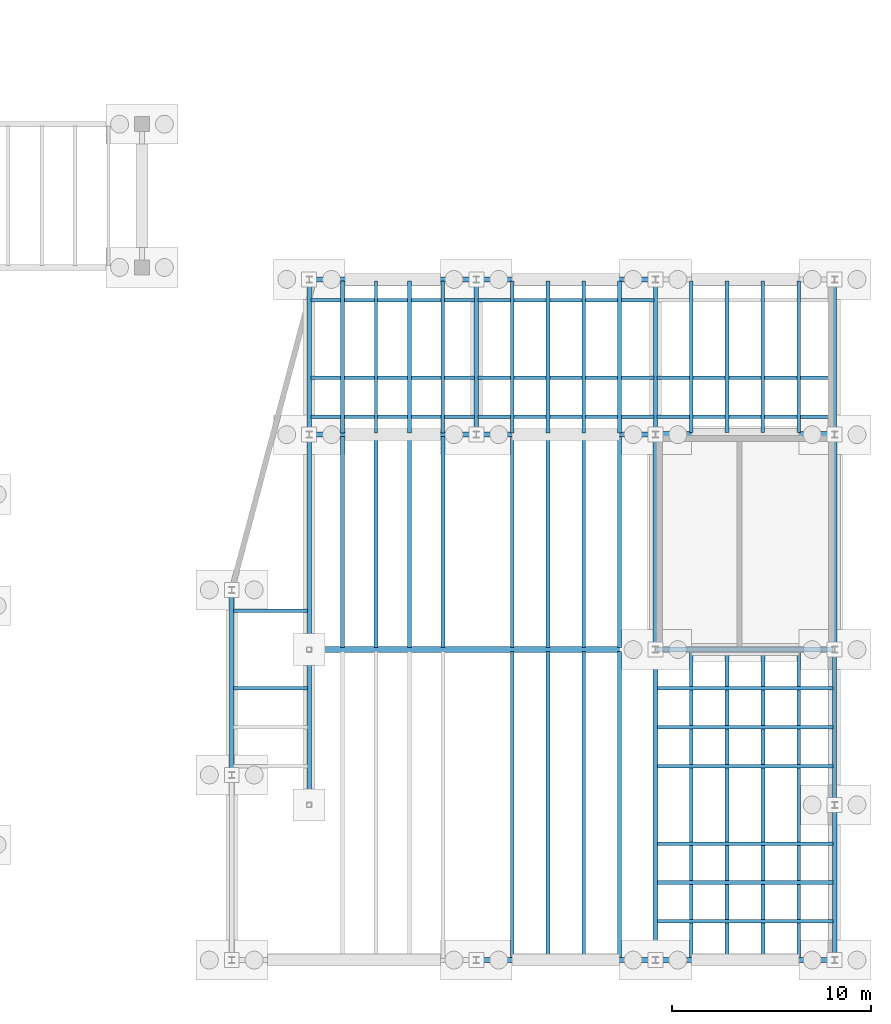
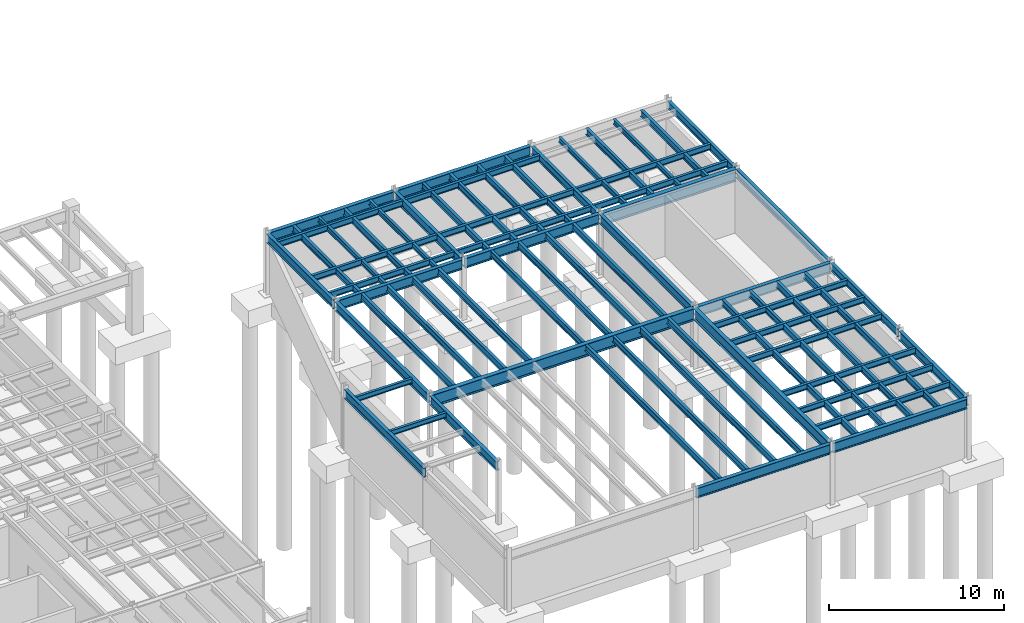
# One storey, part 30 of 41: 65 beams.
"""IFC4 building model written with IfcOpenShell, lengths in metres."""

from ifc_helpers import new_model, si_unit, direction, frame, origin, origin_2d, place, context, subcontext, project, spatial, i_section, extrude, material, material_profile, profile_set, type_object, element, save


model = new_model("IFC4")

# Units and contexts
model_context = context("Model", 3, precision=1e-05, world=origin(), true_north=direction((0.0, 1.0)))
body_context = subcontext(model_context, "Body", "Model", "MODEL_VIEW")
ifc_project = project(units=[si_unit("LENGTHUNIT", "METRE"), si_unit("AREAUNIT", "SQUARE_METRE"), si_unit("VOLUMEUNIT", "CUBIC_METRE"), si_unit("PLANEANGLEUNIT", "RADIAN"), si_unit("MASSUNIT", "GRAM", prefix="KILO")], contexts=[model_context])

# Site, building, storey
site_placement = place(None, origin())
site = spatial("IfcSite", under=ifc_project, at=site_placement, CompositionType="ELEMENT")
building_placement = place(site_placement, origin())
building = spatial("IfcBuilding", under=site, at=building_placement, Name="Selat Folded Stagehouse", CompositionType="ELEMENT")
storey_placement = place(building_placement, frame((0.0, 0.0, -4.5)))
storey = spatial("IfcBuildingStorey", under=building, at=storey_placement, Name="B1", CompositionType="ELEMENT", Elevation=-4.5)

# Beams
ifc_material = material(Name="Steel S355", Category="steel")
ifc_material_profile_1 = material_profile(ifc_material, i_section(OverallWidth=0.210693359375, OverallDepth=0.53955078125, WebThickness=0.01171875, FlangeThickness=0.018798828125, FilletRadius=0.0126953125, at=origin_2d()), Name="UKB 533x210x109")
ifc_profile_set_1 = profile_set([ifc_material_profile_1], Name="Steel S355")
beam_type_1 = type_object("IfcBeamType", Name="BM-GIRD-533x210x109", PredefinedType="BEAM", material=ifc_profile_set_1)
for number, where, z_axis, x_axis, name in (
    (1, (151.800048828125, 26.47998046875, 3.980224609375), (0.0, 1.0, 0.0), (-1.0, 0.0, 0.0), "B1 primary y-girder 0146"),
    (2, (160.800048828125, 7.8798828125, 3.980224609375), (0.0, 1.0, 0.0), (-1.0, 0.0, 0.0), "B1 primary y-girder 0148"),
    (3, (160.800048828125, 26.47998046875, 3.980224609375), (0.0, 1.0, 0.0), (-1.0, 0.0, 0.0), "B1 primary y-girder 0150"),
):
    element("IfcBeam", number, at=place(storey_placement, frame(where, z_axis=z_axis, x_axis=x_axis)), inside=storey, type_object=beam_type_1, Name=name, PredefinedType="BEAM", context=body_context, shape_type="SweptSolid", body=[
        extrude(i_section(OverallWidth=0.210693359375, OverallDepth=0.53955078125, WebThickness=0.01171875, FlangeThickness=0.018798828125, FilletRadius=0.0126953125, at=origin_2d()), origin(), (0.0, 0.0, 1.0), 7.64013671875),
    ])
ifc_material_profile_2 = material_profile(ifc_material, i_section(OverallWidth=0.230224609375, OverallDepth=0.6171875, WebThickness=0.01318359375, FlangeThickness=0.022216796875, FilletRadius=0.0126953125, at=origin_2d()), Name="UKB 610x229x140")
ifc_profile_set_2 = profile_set([ifc_material_profile_2], Name="Steel S355")
beam_type_2 = type_object("IfcBeamType", Name="BM-GIRD-610x229x140", PredefinedType="BEAM", material=ifc_profile_set_2)
beam_1_placement = place(storey_placement, frame((130.510009765625, 9.3798828125, 3.94140625), z_axis=(0.0, 1.0, 0.0), x_axis=(-1.0, 0.0, 0.0)))
element("IfcBeam", 4, at=beam_1_placement, inside=storey, type_object=beam_type_2, Name="B1 primary y-girder 0139", PredefinedType="BEAM", context=body_context, shape_type="SweptSolid", body=[
    extrude(i_section(OverallWidth=0.230224609375, OverallDepth=0.6171875, WebThickness=0.01318359375, FlangeThickness=0.022216796875, FilletRadius=0.0126953125, at=origin_2d()), origin(), (0.0, 0.0, 1.0), 9.14013671875),
])
beam_2_placement = place(storey_placement, frame((134.39990234375, 7.875, 3.94140625), z_axis=(0.0, 1.0, 0.0), x_axis=(-1.0, 0.0, 0.0)))
element("IfcBeam", 5, at=beam_2_placement, inside=storey, type_object=beam_type_2, Name="B1 primary y-girder 0140", PredefinedType="BEAM", context=body_context, shape_type="SweptSolid", body=[
    extrude(i_section(OverallWidth=0.230224609375, OverallDepth=0.6171875, WebThickness=0.01318359375, FlangeThickness=0.022216796875, FilletRadius=0.0126953125, at=origin_2d()), origin(), (0.0, 0.0, 1.0), 7.64990234375),
])
beam_3_placement = place(storey_placement, frame((134.39990234375, 15.675048828125, 3.94140625), z_axis=(0.0, 1.0, 0.0), x_axis=(-1.0, 0.0, 0.0)))
element("IfcBeam", 6, at=beam_3_placement, inside=storey, type_object=beam_type_2, Name="B1 primary y-girder 0141", PredefinedType="BEAM", context=body_context, shape_type="SweptSolid", body=[
    extrude(i_section(OverallWidth=0.230224609375, OverallDepth=0.6171875, WebThickness=0.01318359375, FlangeThickness=0.022216796875, FilletRadius=0.0126953125, at=origin_2d()), origin(), (0.0, 0.0, 1.0), 10.64501953125),
])
for number, where, z_axis, x_axis, name in (
    (7, (134.39990234375, 26.47998046875, 3.94140625), (0.0, 1.0, 0.0), (-1.0, 0.0, 0.0), "B1 primary y-girder 0142"),
    (8, (142.800048828125, 26.47998046875, 3.94140625), (0.0, 1.0, 0.0), (-1.0, 0.0, 0.0), "B1 primary y-girder 0143"),
):
    element("IfcBeam", number, at=place(storey_placement, frame(where, z_axis=z_axis, x_axis=x_axis)), inside=storey, type_object=beam_type_2, Name=name, PredefinedType="BEAM", context=body_context, shape_type="SweptSolid", body=[
        extrude(i_section(OverallWidth=0.230224609375, OverallDepth=0.6171875, WebThickness=0.01318359375, FlangeThickness=0.022216796875, FilletRadius=0.0126953125, at=origin_2d()), origin(), (0.0, 0.0, 1.0), 7.64013671875),
    ])
beam_4_placement = place(storey_placement, frame((151.800048828125, 15.679931640625, 3.94140625), z_axis=(0.0, 1.0, 0.0), x_axis=(-1.0, 0.0, 0.0)))
element("IfcBeam", 9, at=beam_4_placement, inside=storey, type_object=beam_type_2, Name="B1 primary y-girder 0145", PredefinedType="BEAM", context=body_context, shape_type="SweptSolid", body=[
    extrude(i_section(OverallWidth=0.230224609375, OverallDepth=0.6171875, WebThickness=0.01318359375, FlangeThickness=0.022216796875, FilletRadius=0.0126953125, at=origin_2d()), origin(), (0.0, 0.0, 1.0), 10.64013671875),
])
beam_5_placement = place(storey_placement, frame((160.800048828125, 0.080078125, 3.94140625), z_axis=(0.0, 1.0, 0.0), x_axis=(-1.0, 0.0, 0.0)))
element("IfcBeam", 10, at=beam_5_placement, inside=storey, type_object=beam_type_2, Name="B1 primary y-girder 0147", PredefinedType="BEAM", context=body_context, shape_type="SweptSolid", body=[
    extrude(i_section(OverallWidth=0.230224609375, OverallDepth=0.6171875, WebThickness=0.01318359375, FlangeThickness=0.022216796875, FilletRadius=0.0126953125, at=origin_2d()), origin(), (0.0, 0.0, 1.0), 7.639892578125),
])
beam_6_placement = place(storey_placement, frame((160.800048828125, 15.679931640625, 3.94140625), z_axis=(0.0, 1.0, 0.0), x_axis=(-1.0, 0.0, 0.0)))
element("IfcBeam", 11, at=beam_6_placement, inside=storey, type_object=beam_type_2, Name="B1 primary y-girder 0149", PredefinedType="BEAM", context=body_context, shape_type="SweptSolid", body=[
    extrude(i_section(OverallWidth=0.230224609375, OverallDepth=0.6171875, WebThickness=0.01318359375, FlangeThickness=0.022216796875, FilletRadius=0.0126953125, at=origin_2d()), origin(), (0.0, 0.0, 1.0), 10.64013671875),
])
ifc_material_profile_3 = material_profile(ifc_material, i_section(OverallWidth=0.253662109375, OverallDepth=0.68359375, WebThickness=0.012451171875, FlangeThickness=0.01904296875, FilletRadius=0.01513671875, at=origin_2d()), Name="UKB 686x254x140")
ifc_profile_set_3 = profile_set([ifc_material_profile_3], Name="Steel S355")
beam_type_3 = type_object("IfcBeamType", Name="BM-GIRD-686x254x140", PredefinedType="BEAM", material=ifc_profile_set_3)
for number, where, z_axis, x_axis, name in (
    (12, (142.8798828125, 0.0, 3.908203125), (1.0, 0.0, 0.0), (0.0, 1.0, 0.0), "B1 primary x-girder 0002"),
    (13, (151.8798828125, 0.0, 3.908203125), (1.0, 0.0, 0.0), (0.0, 1.0, 0.0), "B1 primary x-girder 0003"),
    (14, (151.8798828125, 15.60009765625, 3.908203125), (1.0, 0.0, 0.0), (0.0, 1.0, 0.0), "B1 primary x-girder 0023"),
):
    element("IfcBeam", number, at=place(storey_placement, frame(where, z_axis=z_axis, x_axis=x_axis)), inside=storey, type_object=beam_type_3, Name=name, PredefinedType="BEAM", context=body_context, shape_type="SweptSolid", body=[
        extrude(i_section(OverallWidth=0.253662109375, OverallDepth=0.68359375, WebThickness=0.012451171875, FlangeThickness=0.01904296875, FilletRadius=0.01513671875, at=origin_2d()), origin(), (0.0, 0.0, 1.0), 8.840087890625),
    ])
beam_7_placement = place(storey_placement, frame((134.47998046875, 26.39990234375, 3.908203125), z_axis=(1.0, 0.0, 0.0), x_axis=(0.0, 1.0, 0.0)))
element("IfcBeam", 15, at=beam_7_placement, inside=storey, type_object=beam_type_3, Name="B1 primary x-girder 0046", PredefinedType="BEAM", context=body_context, shape_type="SweptSolid", body=[
    extrude(i_section(OverallWidth=0.253662109375, OverallDepth=0.68359375, WebThickness=0.012451171875, FlangeThickness=0.01904296875, FilletRadius=0.01513671875, at=origin_2d()), origin(), (0.0, 0.0, 1.0), 8.239990234375),
])
beam_8_placement = place(storey_placement, frame((142.8798828125, 26.39990234375, 3.908203125), z_axis=(1.0, 0.0, 0.0), x_axis=(0.0, 1.0, 0.0)))
element("IfcBeam", 16, at=beam_8_placement, inside=storey, type_object=beam_type_3, Name="B1 primary x-girder 0047", PredefinedType="BEAM", context=body_context, shape_type="SweptSolid", body=[
    extrude(i_section(OverallWidth=0.253662109375, OverallDepth=0.68359375, WebThickness=0.012451171875, FlangeThickness=0.01904296875, FilletRadius=0.01513671875, at=origin_2d()), origin(), (0.0, 0.0, 1.0), 8.840087890625),
])
beam_9_placement = place(storey_placement, frame((134.47998046875, 34.199951171875, 3.908203125), z_axis=(1.0, 0.0, 0.0), x_axis=(0.0, 1.0, 0.0)))
element("IfcBeam", 17, at=beam_9_placement, inside=storey, type_object=beam_type_3, Name="B1 primary x-girder 0050", PredefinedType="BEAM", context=body_context, shape_type="SweptSolid", body=[
    extrude(i_section(OverallWidth=0.253662109375, OverallDepth=0.68359375, WebThickness=0.012451171875, FlangeThickness=0.01904296875, FilletRadius=0.01513671875, at=origin_2d()), origin(), (0.0, 0.0, 1.0), 8.239990234375),
])
beam_10_placement = place(storey_placement, frame((142.8798828125, 34.199951171875, 3.908203125), z_axis=(1.0, 0.0, 0.0), x_axis=(0.0, 1.0, 0.0)))
element("IfcBeam", 18, at=beam_10_placement, inside=storey, type_object=beam_type_3, Name="B1 primary x-girder 0051", PredefinedType="BEAM", context=body_context, shape_type="SweptSolid", body=[
    extrude(i_section(OverallWidth=0.253662109375, OverallDepth=0.68359375, WebThickness=0.012451171875, FlangeThickness=0.01904296875, FilletRadius=0.01513671875, at=origin_2d()), origin(), (0.0, 0.0, 1.0), 8.840087890625),
])
ifc_material_profile_4 = material_profile(ifc_material, i_section(OverallWidth=0.26806640625, OverallDepth=0.769775390625, WebThickness=0.015625, FlangeThickness=0.025390625, FilletRadius=0.0166015625, at=origin_2d()), Name="UKB 762x267x197")
ifc_profile_set_4 = profile_set([ifc_material_profile_4], Name="Steel S355")
beam_type_4 = type_object("IfcBeamType", Name="BM-GIRD-762x267x197", PredefinedType="BEAM", material=ifc_profile_set_4)
beam_11_placement = place(storey_placement, frame((151.800048828125, 0.080078125, 3.864990234375), z_axis=(0.0, 1.0, 0.0), x_axis=(-1.0, 0.0, 0.0)))
element("IfcBeam", 19, at=beam_11_placement, inside=storey, type_object=beam_type_4, Name="B1 primary y-girder 0144", PredefinedType="BEAM", context=body_context, shape_type="SweptSolid", body=[
    extrude(i_section(OverallWidth=0.26806640625, OverallDepth=0.769775390625, WebThickness=0.015625, FlangeThickness=0.025390625, FilletRadius=0.0166015625, at=origin_2d()), origin(), (0.0, 0.0, 1.0), 15.43994140625),
])
ifc_material_profile_5 = material_profile(ifc_material, i_section(OverallWidth=0.293701171875, OverallDepth=0.850830078125, WebThickness=0.01611328125, FlangeThickness=0.02685546875, FilletRadius=0.017822265625, at=origin_2d()), Name="UKB 838x292x226")
ifc_profile_set_5 = profile_set([ifc_material_profile_5], Name="Steel S355")
beam_type_5 = type_object("IfcBeamType", Name="BM-LONG-838x292x226", PredefinedType="BEAM", material=ifc_profile_set_5)
beam_12_placement = place(storey_placement, frame((134.47509765625, 15.60009765625, 3.82470703125), z_axis=(1.0, 0.0, 0.0), x_axis=(0.0, 1.0, 0.0)))
element("IfcBeam", 20, at=beam_12_placement, inside=storey, type_object=beam_type_5, Name="B1 primary x-girder 0022", PredefinedType="BEAM", context=body_context, shape_type="SweptSolid", body=[
    extrude(i_section(OverallWidth=0.293701171875, OverallDepth=0.850830078125, WebThickness=0.01611328125, FlangeThickness=0.02685546875, FilletRadius=0.017822265625, at=origin_2d()), origin(), (0.0, 0.0, 1.0), 17.244873046875),
])
beam_13_placement = place(storey_placement, frame((151.8798828125, 26.39990234375, 3.82470703125), z_axis=(1.0, 0.0, 0.0), x_axis=(0.0, 1.0, 0.0)))
element("IfcBeam", 21, at=beam_13_placement, inside=storey, type_object=beam_type_5, Name="B1 primary x-girder 0048", PredefinedType="BEAM", context=body_context, shape_type="SweptSolid", body=[
    extrude(i_section(OverallWidth=0.293701171875, OverallDepth=0.850830078125, WebThickness=0.01611328125, FlangeThickness=0.02685546875, FilletRadius=0.017822265625, at=origin_2d()), origin(), (0.0, 0.0, 1.0), 8.840087890625),
])
ifc_material_profile_6 = material_profile(ifc_material, i_section(OverallWidth=0.17138671875, OverallDepth=0.35498046875, WebThickness=0.00732421875, FlangeThickness=0.011474609375, FilletRadius=0.01025390625, at=origin_2d()), Name="UKB 356x171x51")
ifc_profile_set_6 = profile_set([ifc_material_profile_6], Name="Steel S355")
beam_type_6 = type_object("IfcBeamType", Name="JST-356x171x51", PredefinedType="JOIST", material=ifc_profile_set_6)
for number, where, z_axis, x_axis, name in (
    (22, (137.760009765625, 26.48876953125, 4.072509765625), (0.0, 1.0, 0.0), (-1.0, 0.0, 0.0), "B1 secondary floor joist 0357"),
    (23, (141.1201171875, 26.48876953125, 4.072509765625), (0.0, 1.0, 0.0), (-1.0, 0.0, 0.0), "B1 secondary floor joist 0363"),
):
    element("IfcBeam", number, at=place(storey_placement, frame(where, z_axis=z_axis, x_axis=x_axis)), inside=storey, type_object=beam_type_6, Name=name, PredefinedType="JOIST", context=body_context, shape_type="SweptSolid", body=[
        extrude(i_section(OverallWidth=0.17138671875, OverallDepth=0.35498046875, WebThickness=0.00732421875, FlangeThickness=0.011474609375, FilletRadius=0.01025390625, at=origin_2d()), origin(), (0.0, 0.0, 1.0), 7.622314453125),
    ])
for number, where, z_axis, x_axis, name in (
    (24, (153.60009765625, 26.502685546875, 4.072509765625), (0.0, 1.0, 0.0), (-1.0, 0.0, 0.0), "B1 secondary floor joist 0377"),
    (25, (157.199951171875, 26.502685546875, 4.072509765625), (0.0, 1.0, 0.0), (-1.0, 0.0, 0.0), "B1 secondary floor joist 0381"),
):
    element("IfcBeam", number, at=place(storey_placement, frame(where, z_axis=z_axis, x_axis=x_axis)), inside=storey, type_object=beam_type_6, Name=name, PredefinedType="JOIST", context=body_context, shape_type="SweptSolid", body=[
        extrude(i_section(OverallWidth=0.17138671875, OverallDepth=0.35498046875, WebThickness=0.00732421875, FlangeThickness=0.011474609375, FilletRadius=0.01025390625, at=origin_2d()), origin(), (0.0, 0.0, 1.0), 7.6083984375),
    ])
for number, where, z_axis, x_axis, name in (
    (26, (130.590576171875, 13.64990234375, 4.072509765625), (1.0, 0.0, 0.0), (0.0, 1.0, 0.0), "B1 secondary x-joist 0425"),
    (27, (130.590576171875, 17.550048828125, 4.072509765625), (1.0, 0.0, 0.0), (0.0, 1.0, 0.0), "B1 secondary x-joist 0428"),
):
    element("IfcBeam", number, at=place(storey_placement, frame(where, z_axis=z_axis, x_axis=x_axis)), inside=storey, type_object=beam_type_6, Name=name, PredefinedType="JOIST", context=body_context, shape_type="SweptSolid", body=[
        extrude(i_section(OverallWidth=0.17138671875, OverallDepth=0.35498046875, WebThickness=0.00732421875, FlangeThickness=0.011474609375, FilletRadius=0.01025390625, at=origin_2d()), origin(), (0.0, 0.0, 1.0), 3.728759765625),
    ])
ifc_material_profile_7 = material_profile(ifc_material, i_section(OverallWidth=0.177978515625, OverallDepth=0.406494140625, WebThickness=0.0078125, FlangeThickness=0.0126953125, FilletRadius=0.01025390625, at=origin_2d()), Name="UKB 406x178x60")
ifc_profile_set_7 = profile_set([ifc_material_profile_7], Name="Steel S355")
beam_type_7 = type_object("IfcBeamType", Name="JST-406x178x60", PredefinedType="JOIST", material=ifc_profile_set_7)
for number, where, z_axis, x_axis, name in (
    (28, (151.893798828125, 1.949951171875, 4.046875), (1.0, 0.0, 0.0), (0.0, 1.0, 0.0), "B1 secondary x-joist 0392"),
    (29, (151.893798828125, 3.89990234375, 4.046875), (1.0, 0.0, 0.0), (0.0, 1.0, 0.0), "B1 secondary x-joist 0401"),
    (30, (151.893798828125, 5.85009765625, 4.046875), (1.0, 0.0, 0.0), (0.0, 1.0, 0.0), "B1 secondary x-joist 0402"),
):
    element("IfcBeam", number, at=place(storey_placement, frame(where, z_axis=z_axis, x_axis=x_axis)), inside=storey, type_object=beam_type_7, Name=name, PredefinedType="JOIST", context=body_context, shape_type="SweptSolid", body=[
        extrude(i_section(OverallWidth=0.177978515625, OverallDepth=0.406494140625, WebThickness=0.0078125, FlangeThickness=0.0126953125, FilletRadius=0.01025390625, at=origin_2d()), origin(), (0.0, 0.0, 1.0), 8.82568359375),
    ])
for number, where, z_axis, x_axis, name in (
    (31, (151.893798828125, 9.75, 4.046875), (1.0, 0.0, 0.0), (0.0, 1.0, 0.0), "B1 secondary x-joist 0410"),
    (32, (151.893798828125, 11.699951171875, 4.046875), (1.0, 0.0, 0.0), (0.0, 1.0, 0.0), "B1 secondary x-joist 0418"),
    (33, (151.893798828125, 13.64990234375, 4.046875), (1.0, 0.0, 0.0), (0.0, 1.0, 0.0), "B1 secondary x-joist 0426"),
):
    element("IfcBeam", number, at=place(storey_placement, frame(where, z_axis=z_axis, x_axis=x_axis)), inside=storey, type_object=beam_type_7, Name=name, PredefinedType="JOIST", context=body_context, shape_type="SweptSolid", body=[
        extrude(i_section(OverallWidth=0.177978515625, OverallDepth=0.406494140625, WebThickness=0.0078125, FlangeThickness=0.0126953125, FilletRadius=0.01025390625, at=origin_2d()), origin(), (0.0, 0.0, 1.0), 8.83251953125),
    ])
beam_14_placement = place(storey_placement, frame((134.480712890625, 27.300048828125, 4.046875), z_axis=(1.0, 0.0, 0.0), x_axis=(0.0, 1.0, 0.0)))
element("IfcBeam", 34, at=beam_14_placement, inside=storey, type_object=beam_type_7, Name="B1 secondary x-joist 0461", PredefinedType="JOIST", context=body_context, shape_type="SweptSolid", body=[
    extrude(i_section(OverallWidth=0.177978515625, OverallDepth=0.406494140625, WebThickness=0.0078125, FlangeThickness=0.0126953125, FilletRadius=0.01025390625, at=origin_2d()), origin(), (0.0, 0.0, 1.0), 8.23876953125),
])
beam_15_placement = place(storey_placement, frame((142.880615234375, 27.300048828125, 4.046875), z_axis=(1.0, 0.0, 0.0), x_axis=(0.0, 1.0, 0.0)))
element("IfcBeam", 35, at=beam_15_placement, inside=storey, type_object=beam_type_7, Name="B1 secondary x-joist 0462", PredefinedType="JOIST", context=body_context, shape_type="SweptSolid", body=[
    extrude(i_section(OverallWidth=0.177978515625, OverallDepth=0.406494140625, WebThickness=0.0078125, FlangeThickness=0.0126953125, FilletRadius=0.01025390625, at=origin_2d()), origin(), (0.0, 0.0, 1.0), 8.845703125),
])
beam_16_placement = place(storey_placement, frame((151.873779296875, 27.300048828125, 4.046875), z_axis=(1.0, 0.0, 0.0), x_axis=(0.0, 1.0, 0.0)))
element("IfcBeam", 36, at=beam_16_placement, inside=storey, type_object=beam_type_7, Name="B1 secondary x-joist 0463", PredefinedType="JOIST", context=body_context, shape_type="SweptSolid", body=[
    extrude(i_section(OverallWidth=0.177978515625, OverallDepth=0.406494140625, WebThickness=0.0078125, FlangeThickness=0.0126953125, FilletRadius=0.01025390625, at=origin_2d()), origin(), (0.0, 0.0, 1.0), 8.8525390625),
])
beam_17_placement = place(storey_placement, frame((134.480712890625, 29.25, 4.046875), z_axis=(1.0, 0.0, 0.0), x_axis=(0.0, 1.0, 0.0)))
element("IfcBeam", 37, at=beam_17_placement, inside=storey, type_object=beam_type_7, Name="B1 secondary x-joist 0470", PredefinedType="JOIST", context=body_context, shape_type="SweptSolid", body=[
    extrude(i_section(OverallWidth=0.177978515625, OverallDepth=0.406494140625, WebThickness=0.0078125, FlangeThickness=0.0126953125, FilletRadius=0.01025390625, at=origin_2d()), origin(), (0.0, 0.0, 1.0), 8.23876953125),
])
beam_18_placement = place(storey_placement, frame((142.880615234375, 29.25, 4.046875), z_axis=(1.0, 0.0, 0.0), x_axis=(0.0, 1.0, 0.0)))
element("IfcBeam", 38, at=beam_18_placement, inside=storey, type_object=beam_type_7, Name="B1 secondary x-joist 0471", PredefinedType="JOIST", context=body_context, shape_type="SweptSolid", body=[
    extrude(i_section(OverallWidth=0.177978515625, OverallDepth=0.406494140625, WebThickness=0.0078125, FlangeThickness=0.0126953125, FilletRadius=0.01025390625, at=origin_2d()), origin(), (0.0, 0.0, 1.0), 8.845703125),
])
beam_19_placement = place(storey_placement, frame((151.873779296875, 29.25, 4.046875), z_axis=(1.0, 0.0, 0.0), x_axis=(0.0, 1.0, 0.0)))
element("IfcBeam", 39, at=beam_19_placement, inside=storey, type_object=beam_type_7, Name="B1 secondary x-joist 0472", PredefinedType="JOIST", context=body_context, shape_type="SweptSolid", body=[
    extrude(i_section(OverallWidth=0.177978515625, OverallDepth=0.406494140625, WebThickness=0.0078125, FlangeThickness=0.0126953125, FilletRadius=0.01025390625, at=origin_2d()), origin(), (0.0, 0.0, 1.0), 8.8525390625),
])
beam_20_placement = place(storey_placement, frame((134.480712890625, 33.14990234375, 4.046875), z_axis=(1.0, 0.0, 0.0), x_axis=(0.0, 1.0, 0.0)))
element("IfcBeam", 40, at=beam_20_placement, inside=storey, type_object=beam_type_7, Name="B1 secondary x-joist 0479", PredefinedType="JOIST", context=body_context, shape_type="SweptSolid", body=[
    extrude(i_section(OverallWidth=0.177978515625, OverallDepth=0.406494140625, WebThickness=0.0078125, FlangeThickness=0.0126953125, FilletRadius=0.01025390625, at=origin_2d()), origin(), (0.0, 0.0, 1.0), 8.23876953125),
])
beam_21_placement = place(storey_placement, frame((142.880615234375, 33.14990234375, 4.046875), z_axis=(1.0, 0.0, 0.0), x_axis=(0.0, 1.0, 0.0)))
element("IfcBeam", 41, at=beam_21_placement, inside=storey, type_object=beam_type_7, Name="B1 secondary x-joist 0480", PredefinedType="JOIST", context=body_context, shape_type="SweptSolid", body=[
    extrude(i_section(OverallWidth=0.177978515625, OverallDepth=0.406494140625, WebThickness=0.0078125, FlangeThickness=0.0126953125, FilletRadius=0.01025390625, at=origin_2d()), origin(), (0.0, 0.0, 1.0), 8.845703125),
])
ifc_material_profile_8 = material_profile(ifc_material, i_section(OverallWidth=0.18994140625, OverallDepth=0.453369140625, WebThickness=0.008544921875, FlangeThickness=0.0126953125, FilletRadius=0.01025390625, at=origin_2d()), Name="UKB 457x191x67")
ifc_profile_set_8 = profile_set([ifc_material_profile_8], Name="Steel S355")
beam_type_8 = type_object("IfcBeamType", Name="JST-457x191x67", PredefinedType="JOIST", material=ifc_profile_set_8)
beam_22_placement = place(storey_placement, frame((136.080078125, 15.702880859375, 4.023193359375), z_axis=(0.0, 1.0, 0.0), x_axis=(-1.0, 0.0, 0.0)))
element("IfcBeam", 42, at=beam_22_placement, inside=storey, type_object=beam_type_8, Name="B1 secondary floor joist 0353", PredefinedType="JOIST", context=body_context, shape_type="SweptSolid", body=[
    extrude(i_section(OverallWidth=0.18994140625, OverallDepth=0.453369140625, WebThickness=0.008544921875, FlangeThickness=0.0126953125, FilletRadius=0.01025390625, at=origin_2d()), origin(), (0.0, 0.0, 1.0), 10.6083984375),
])
beam_23_placement = place(storey_placement, frame((136.080078125, 26.48876953125, 4.023193359375), z_axis=(0.0, 1.0, 0.0), x_axis=(-1.0, 0.0, 0.0)))
element("IfcBeam", 43, at=beam_23_placement, inside=storey, type_object=beam_type_8, Name="B1 secondary floor joist 0354", PredefinedType="JOIST", context=body_context, shape_type="SweptSolid", body=[
    extrude(i_section(OverallWidth=0.18994140625, OverallDepth=0.453369140625, WebThickness=0.008544921875, FlangeThickness=0.0126953125, FilletRadius=0.01025390625, at=origin_2d()), origin(), (0.0, 0.0, 1.0), 7.622314453125),
])
for number, where, z_axis, x_axis, name in (
    (44, (137.760009765625, 15.702880859375, 4.023193359375), (0.0, 1.0, 0.0), (-1.0, 0.0, 0.0), "B1 secondary floor joist 0356"),
    (45, (139.43994140625, 15.702880859375, 4.023193359375), (0.0, 1.0, 0.0), (-1.0, 0.0, 0.0), "B1 secondary floor joist 0359"),
):
    element("IfcBeam", number, at=place(storey_placement, frame(where, z_axis=z_axis, x_axis=x_axis)), inside=storey, type_object=beam_type_8, Name=name, PredefinedType="JOIST", context=body_context, shape_type="SweptSolid", body=[
        extrude(i_section(OverallWidth=0.18994140625, OverallDepth=0.453369140625, WebThickness=0.008544921875, FlangeThickness=0.0126953125, FilletRadius=0.01025390625, at=origin_2d()), origin(), (0.0, 0.0, 1.0), 10.6083984375),
    ])
beam_24_placement = place(storey_placement, frame((139.43994140625, 26.48876953125, 4.023193359375), z_axis=(0.0, 1.0, 0.0), x_axis=(-1.0, 0.0, 0.0)))
element("IfcBeam", 46, at=beam_24_placement, inside=storey, type_object=beam_type_8, Name="B1 secondary floor joist 0360", PredefinedType="JOIST", context=body_context, shape_type="SweptSolid", body=[
    extrude(i_section(OverallWidth=0.18994140625, OverallDepth=0.453369140625, WebThickness=0.008544921875, FlangeThickness=0.0126953125, FilletRadius=0.01025390625, at=origin_2d()), origin(), (0.0, 0.0, 1.0), 7.622314453125),
])
beam_25_placement = place(storey_placement, frame((141.1201171875, 15.702880859375, 4.023193359375), z_axis=(0.0, 1.0, 0.0), x_axis=(-1.0, 0.0, 0.0)))
element("IfcBeam", 47, at=beam_25_placement, inside=storey, type_object=beam_type_8, Name="B1 secondary floor joist 0362", PredefinedType="JOIST", context=body_context, shape_type="SweptSolid", body=[
    extrude(i_section(OverallWidth=0.18994140625, OverallDepth=0.453369140625, WebThickness=0.008544921875, FlangeThickness=0.0126953125, FilletRadius=0.01025390625, at=origin_2d()), origin(), (0.0, 0.0, 1.0), 10.6083984375),
])
beam_26_placement = place(storey_placement, frame((144.60009765625, 0.0888671875, 4.023193359375), z_axis=(0.0, 1.0, 0.0), x_axis=(-1.0, 0.0, 0.0)))
element("IfcBeam", 48, at=beam_26_placement, inside=storey, type_object=beam_type_8, Name="B1 secondary floor joist 0364", PredefinedType="JOIST", context=body_context, shape_type="SweptSolid", body=[
    extrude(i_section(OverallWidth=0.18994140625, OverallDepth=0.453369140625, WebThickness=0.008544921875, FlangeThickness=0.0126953125, FilletRadius=0.01025390625, at=origin_2d()), origin(), (0.0, 0.0, 1.0), 15.408447265625),
])
beam_27_placement = place(storey_placement, frame((144.60009765625, 15.702880859375, 4.023193359375), z_axis=(0.0, 1.0, 0.0), x_axis=(-1.0, 0.0, 0.0)))
element("IfcBeam", 49, at=beam_27_placement, inside=storey, type_object=beam_type_8, Name="B1 secondary floor joist 0365", PredefinedType="JOIST", context=body_context, shape_type="SweptSolid", body=[
    extrude(i_section(OverallWidth=0.18994140625, OverallDepth=0.453369140625, WebThickness=0.008544921875, FlangeThickness=0.0126953125, FilletRadius=0.01025390625, at=origin_2d()), origin(), (0.0, 0.0, 1.0), 10.6083984375),
])
beam_28_placement = place(storey_placement, frame((144.60009765625, 26.48876953125, 4.023193359375), z_axis=(0.0, 1.0, 0.0), x_axis=(-1.0, 0.0, 0.0)))
element("IfcBeam", 50, at=beam_28_placement, inside=storey, type_object=beam_type_8, Name="B1 secondary floor joist 0366", PredefinedType="JOIST", context=body_context, shape_type="SweptSolid", body=[
    extrude(i_section(OverallWidth=0.18994140625, OverallDepth=0.453369140625, WebThickness=0.008544921875, FlangeThickness=0.0126953125, FilletRadius=0.01025390625, at=origin_2d()), origin(), (0.0, 0.0, 1.0), 7.622314453125),
])
beam_29_placement = place(storey_placement, frame((146.39990234375, 0.0888671875, 4.023193359375), z_axis=(0.0, 1.0, 0.0), x_axis=(-1.0, 0.0, 0.0)))
element("IfcBeam", 51, at=beam_29_placement, inside=storey, type_object=beam_type_8, Name="B1 secondary floor joist 0367", PredefinedType="JOIST", context=body_context, shape_type="SweptSolid", body=[
    extrude(i_section(OverallWidth=0.18994140625, OverallDepth=0.453369140625, WebThickness=0.008544921875, FlangeThickness=0.0126953125, FilletRadius=0.01025390625, at=origin_2d()), origin(), (0.0, 0.0, 1.0), 15.408447265625),
])
beam_30_placement = place(storey_placement, frame((146.39990234375, 15.702880859375, 4.023193359375), z_axis=(0.0, 1.0, 0.0), x_axis=(-1.0, 0.0, 0.0)))
element("IfcBeam", 52, at=beam_30_placement, inside=storey, type_object=beam_type_8, Name="B1 secondary floor joist 0368", PredefinedType="JOIST", context=body_context, shape_type="SweptSolid", body=[
    extrude(i_section(OverallWidth=0.18994140625, OverallDepth=0.453369140625, WebThickness=0.008544921875, FlangeThickness=0.0126953125, FilletRadius=0.01025390625, at=origin_2d()), origin(), (0.0, 0.0, 1.0), 10.6083984375),
])
beam_31_placement = place(storey_placement, frame((146.39990234375, 26.48876953125, 4.023193359375), z_axis=(0.0, 1.0, 0.0), x_axis=(-1.0, 0.0, 0.0)))
element("IfcBeam", 53, at=beam_31_placement, inside=storey, type_object=beam_type_8, Name="B1 secondary floor joist 0369", PredefinedType="JOIST", context=body_context, shape_type="SweptSolid", body=[
    extrude(i_section(OverallWidth=0.18994140625, OverallDepth=0.453369140625, WebThickness=0.008544921875, FlangeThickness=0.0126953125, FilletRadius=0.01025390625, at=origin_2d()), origin(), (0.0, 0.0, 1.0), 7.622314453125),
])
beam_32_placement = place(storey_placement, frame((148.199951171875, 0.0888671875, 4.023193359375), z_axis=(0.0, 1.0, 0.0), x_axis=(-1.0, 0.0, 0.0)))
element("IfcBeam", 54, at=beam_32_placement, inside=storey, type_object=beam_type_8, Name="B1 secondary floor joist 0370", PredefinedType="JOIST", context=body_context, shape_type="SweptSolid", body=[
    extrude(i_section(OverallWidth=0.18994140625, OverallDepth=0.453369140625, WebThickness=0.008544921875, FlangeThickness=0.0126953125, FilletRadius=0.01025390625, at=origin_2d()), origin(), (0.0, 0.0, 1.0), 15.408447265625),
])
beam_33_placement = place(storey_placement, frame((148.199951171875, 15.702880859375, 4.023193359375), z_axis=(0.0, 1.0, 0.0), x_axis=(-1.0, 0.0, 0.0)))
element("IfcBeam", 55, at=beam_33_placement, inside=storey, type_object=beam_type_8, Name="B1 secondary floor joist 0371", PredefinedType="JOIST", context=body_context, shape_type="SweptSolid", body=[
    extrude(i_section(OverallWidth=0.18994140625, OverallDepth=0.453369140625, WebThickness=0.008544921875, FlangeThickness=0.0126953125, FilletRadius=0.01025390625, at=origin_2d()), origin(), (0.0, 0.0, 1.0), 10.6083984375),
])
beam_34_placement = place(storey_placement, frame((148.199951171875, 26.48876953125, 4.023193359375), z_axis=(0.0, 1.0, 0.0), x_axis=(-1.0, 0.0, 0.0)))
element("IfcBeam", 56, at=beam_34_placement, inside=storey, type_object=beam_type_8, Name="B1 secondary floor joist 0372", PredefinedType="JOIST", context=body_context, shape_type="SweptSolid", body=[
    extrude(i_section(OverallWidth=0.18994140625, OverallDepth=0.453369140625, WebThickness=0.008544921875, FlangeThickness=0.0126953125, FilletRadius=0.01025390625, at=origin_2d()), origin(), (0.0, 0.0, 1.0), 7.622314453125),
])
beam_35_placement = place(storey_placement, frame((150.0, 0.0888671875, 4.023193359375), z_axis=(0.0, 1.0, 0.0), x_axis=(-1.0, 0.0, 0.0)))
element("IfcBeam", 57, at=beam_35_placement, inside=storey, type_object=beam_type_8, Name="B1 secondary floor joist 0373", PredefinedType="JOIST", context=body_context, shape_type="SweptSolid", body=[
    extrude(i_section(OverallWidth=0.18994140625, OverallDepth=0.453369140625, WebThickness=0.008544921875, FlangeThickness=0.0126953125, FilletRadius=0.01025390625, at=origin_2d()), origin(), (0.0, 0.0, 1.0), 15.408447265625),
])
beam_36_placement = place(storey_placement, frame((150.0, 15.702880859375, 4.023193359375), z_axis=(0.0, 1.0, 0.0), x_axis=(-1.0, 0.0, 0.0)))
element("IfcBeam", 58, at=beam_36_placement, inside=storey, type_object=beam_type_8, Name="B1 secondary floor joist 0374", PredefinedType="JOIST", context=body_context, shape_type="SweptSolid", body=[
    extrude(i_section(OverallWidth=0.18994140625, OverallDepth=0.453369140625, WebThickness=0.008544921875, FlangeThickness=0.0126953125, FilletRadius=0.01025390625, at=origin_2d()), origin(), (0.0, 0.0, 1.0), 10.6083984375),
])
beam_37_placement = place(storey_placement, frame((150.0, 26.48876953125, 4.023193359375), z_axis=(0.0, 1.0, 0.0), x_axis=(-1.0, 0.0, 0.0)))
element("IfcBeam", 59, at=beam_37_placement, inside=storey, type_object=beam_type_8, Name="B1 secondary floor joist 0375", PredefinedType="JOIST", context=body_context, shape_type="SweptSolid", body=[
    extrude(i_section(OverallWidth=0.18994140625, OverallDepth=0.453369140625, WebThickness=0.008544921875, FlangeThickness=0.0126953125, FilletRadius=0.01025390625, at=origin_2d()), origin(), (0.0, 0.0, 1.0), 7.622314453125),
])
for number, where, z_axis, x_axis, name in (
    (60, (153.60009765625, 0.0888671875, 4.023193359375), (0.0, 1.0, 0.0), (-1.0, 0.0, 0.0), "B1 secondary floor joist 0376"),
    (61, (155.39990234375, 0.0888671875, 4.023193359375), (0.0, 1.0, 0.0), (-1.0, 0.0, 0.0), "B1 secondary floor joist 0378"),
):
    element("IfcBeam", number, at=place(storey_placement, frame(where, z_axis=z_axis, x_axis=x_axis)), inside=storey, type_object=beam_type_8, Name=name, PredefinedType="JOIST", context=body_context, shape_type="SweptSolid", body=[
        extrude(i_section(OverallWidth=0.18994140625, OverallDepth=0.453369140625, WebThickness=0.008544921875, FlangeThickness=0.0126953125, FilletRadius=0.01025390625, at=origin_2d()), origin(), (0.0, 0.0, 1.0), 15.42236328125),
    ])
beam_38_placement = place(storey_placement, frame((155.39990234375, 26.502685546875, 4.023193359375), z_axis=(0.0, 1.0, 0.0), x_axis=(-1.0, 0.0, 0.0)))
element("IfcBeam", 62, at=beam_38_placement, inside=storey, type_object=beam_type_8, Name="B1 secondary floor joist 0379", PredefinedType="JOIST", context=body_context, shape_type="SweptSolid", body=[
    extrude(i_section(OverallWidth=0.18994140625, OverallDepth=0.453369140625, WebThickness=0.008544921875, FlangeThickness=0.0126953125, FilletRadius=0.01025390625, at=origin_2d()), origin(), (0.0, 0.0, 1.0), 7.6083984375),
])
for number, where, z_axis, x_axis, name in (
    (63, (157.199951171875, 0.0888671875, 4.023193359375), (0.0, 1.0, 0.0), (-1.0, 0.0, 0.0), "B1 secondary floor joist 0380"),
    (64, (159.0, 0.0888671875, 4.023193359375), (0.0, 1.0, 0.0), (-1.0, 0.0, 0.0), "B1 secondary floor joist 0382"),
):
    element("IfcBeam", number, at=place(storey_placement, frame(where, z_axis=z_axis, x_axis=x_axis)), inside=storey, type_object=beam_type_8, Name=name, PredefinedType="JOIST", context=body_context, shape_type="SweptSolid", body=[
        extrude(i_section(OverallWidth=0.18994140625, OverallDepth=0.453369140625, WebThickness=0.008544921875, FlangeThickness=0.0126953125, FilletRadius=0.01025390625, at=origin_2d()), origin(), (0.0, 0.0, 1.0), 15.42236328125),
    ])
beam_39_placement = place(storey_placement, frame((159.0, 26.502685546875, 4.023193359375), z_axis=(0.0, 1.0, 0.0), x_axis=(-1.0, 0.0, 0.0)))
element("IfcBeam", 65, at=beam_39_placement, inside=storey, type_object=beam_type_8, Name="B1 secondary floor joist 0383", PredefinedType="JOIST", context=body_context, shape_type="SweptSolid", body=[
    extrude(i_section(OverallWidth=0.18994140625, OverallDepth=0.453369140625, WebThickness=0.008544921875, FlangeThickness=0.0126953125, FilletRadius=0.01025390625, at=origin_2d()), origin(), (0.0, 0.0, 1.0), 7.6083984375),
])

save(model, "model.ifc")
